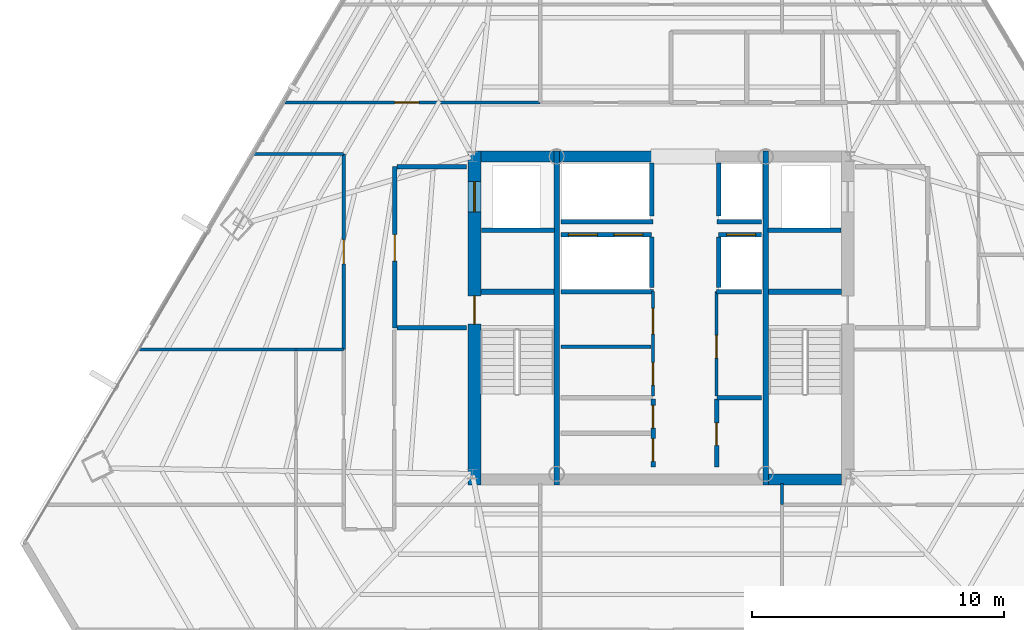
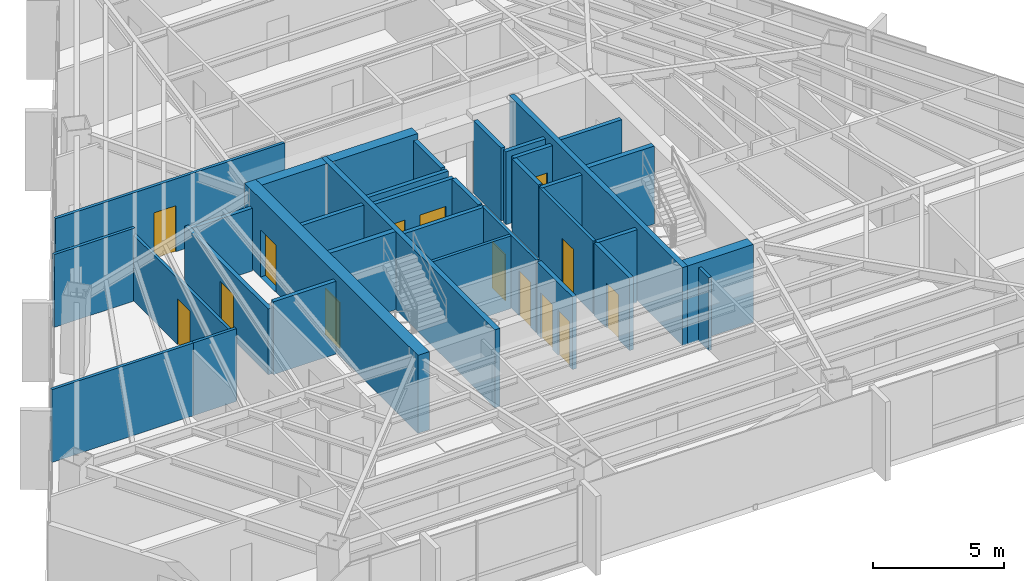
# One storey, part 35 of 40: 35 walls, 14 doors, 14 openings.
"""IFC4 building model written with IfcOpenShell, lengths in metres."""

from ifc_helpers import new_model, si_unit, direction, frame, frame_2d, origin, place, context, subcontext, project, spatial, rectangle, extrude, material, layer, layer_set, type_object, element, fill, save


model = new_model("IFC4")

# Units and contexts
model_context = context("Model", 3, precision=1e-05, world=origin(), true_north=direction((0.0, 1.0)))
body_context = subcontext(model_context, "Body", "Model", "MODEL_VIEW")
ifc_project = project(units=[si_unit("LENGTHUNIT", "METRE"), si_unit("AREAUNIT", "SQUARE_METRE"), si_unit("VOLUMEUNIT", "CUBIC_METRE"), si_unit("PLANEANGLEUNIT", "RADIAN"), si_unit("MASSUNIT", "GRAM", prefix="KILO")], contexts=[model_context])

# Site, building, storey
site_placement = place(None, origin())
site = spatial("IfcSite", under=ifc_project, at=site_placement, CompositionType="ELEMENT")
building_placement = place(site_placement, origin())
building = spatial("IfcBuilding", under=site, at=building_placement, Name="Caelisora Broadcast Tower", CompositionType="ELEMENT")
storey_placement = place(building_placement, frame((0.0, 0.0, 176.75)))
storey = spatial("IfcBuildingStorey", under=building, at=storey_placement, Name="L46", CompositionType="ELEMENT", Elevation=176.75)

# Wall, openings, doors
ifc_material_1 = material(Name="Concrete 50 MPa (AS 3600 S50)", Category="concrete")
ifc_layer_1 = layer(ifc_material_1, 0.5, Name="Concrete 50 MPa (AS 3600 S50)")
ifc_layer_set_1 = layer_set([ifc_layer_1], Name="Concrete 50 MPa (AS 3600 S50)")
wall_type_1 = type_object("IfcWallType", Name="CW2", PredefinedType="SHEAR", material=ifc_layer_set_1)
wall_1_placement = place(storey_placement, frame((30.590087890625, 16.949951171875, 0.0), z_axis=(0.0, 0.0, 1.0), x_axis=(0.0, 1.0, 0.0)))
wall_1 = element("IfcWall", 1, at=wall_1_placement, inside=storey, type_object=wall_type_1, Name="L46 core shear wall CW2", PredefinedType="SHEAR", context=body_context, shape_type="SweptSolid", body=[
    extrude(rectangle(XDim=13.275146484375, YDim=0.5, at=frame_2d((6.6376953125, 0.0))), origin(), (0.0, 0.0, 1.0), 3.64990234375),
])
opening_1_placement = place(wall_1_placement, frame((6.39990234375, 0.0, 0.0)))
opening_1 = element("IfcOpeningElement", 2, at=opening_1_placement, cuts=wall_1, Name="Opening FD04", PredefinedType="OPENING", context=body_context, shape_type="SweptSolid", body=[
    extrude(rectangle(XDim=1.1201171875, YDim=2.14990234375, at=frame_2d((0.56005859375, 1.074951171875))), frame((0.0, 0.261962890625, 0.0), z_axis=(0.0, -1.0, 0.0), x_axis=(1.0, 0.0, 0.0)), (0.0, 0.0, 1.0), 0.52392578125),
])
opening_2_placement = place(wall_1_placement, frame((10.85009765625, 0.0, 0.0)))
opening_2 = element("IfcOpeningElement", 3, at=opening_2_placement, cuts=wall_1, Name="Opening LD04", PredefinedType="OPENING", context=body_context, shape_type="SweptSolid", body=[
    extrude(rectangle(XDim=1.199951171875, YDim=2.199951171875, at=frame_2d((0.60009765625, 1.10009765625))), frame((0.0, 0.261962890625, 0.0), z_axis=(0.0, -1.0, 0.0), x_axis=(1.0, 0.0, 0.0)), (0.0, 0.0, 1.0), 0.52392578125),
])
ifc_material_2 = material(Name="Pressurised Fire-Isolated Stair Door", Category="steel")
door_type_1 = type_object("IfcDoorType", Name="FD04", OperationType="NOTDEFINED", PredefinedType="DOOR", material=ifc_material_2)
door_1_placement = place(opening_1_placement, origin())
door_1 = element("IfcDoor", 4, at=door_1_placement, inside=storey, type_object=door_type_1, Name="L46 door FD04 (L46-DR-ST1)", OperationType="SINGLE_SWING_LEFT", OverallHeight=2.14990234375, OverallWidth=1.1201171875, PredefinedType="DOOR", context=body_context, shape_type="SweptSolid", body=[
    extrude(rectangle(XDim=1.1201171875, YDim=2.14990234375, at=frame_2d((0.56005859375, 1.074951171875))), frame((0.0, 0.02490234375, 0.0), z_axis=(0.0, -1.0, 0.0), x_axis=(1.0, 0.0, 0.0)), (0.0, 0.0, 1.0), 0.050048828125),
])
fill(opening_1, door_1)
ifc_material_3 = material(Name="Emergency Firefighting Lift Sliding Landing Door", Category="steel")
door_type_2 = type_object("IfcDoorType", Name="LD04", OperationType="NOTDEFINED", PredefinedType="DOOR", material=ifc_material_3)
door_2_placement = place(opening_2_placement, origin())
door_2 = element("IfcDoor", 5, at=door_2_placement, inside=storey, type_object=door_type_2, Name="L46 door LD04 (L46-LD-FFL1)", OperationType="SLIDING_TO_LEFT", OverallHeight=2.199951171875, OverallWidth=1.199951171875, PredefinedType="DOOR", context=body_context, shape_type="SweptSolid", body=[
    extrude(rectangle(XDim=1.199951171875, YDim=2.199951171875, at=frame_2d((0.60009765625, 1.10009765625))), frame((0.0, 0.02490234375, 0.0), z_axis=(0.0, -1.0, 0.0), x_axis=(1.0, 0.0, 0.0)), (0.0, 0.0, 1.0), 0.050048828125),
])
fill(opening_2, door_2)

# Walls
ifc_layer_2 = layer(ifc_material_1, 0.449951171875, Name="Concrete 50 MPa (AS 3600 S50)")
ifc_layer_set_2 = layer_set([ifc_layer_2], Name="Concrete 50 MPa (AS 3600 S50)")
wall_type_2 = type_object("IfcWallType", Name="CW5", PredefinedType="SHEAR", material=ifc_layer_set_2)
for number, where, z_axis, x_axis, name in (
    (6, (42.260009765625, 17.175048828125, 0.0), (0.0, 0.0, 1.0), (1.0, 0.0, 0.0), "L46 core shear wall CW5"),
    (7, (30.840087890625, 30.0, 0.0), (0.0, 0.0, 1.0), (1.0, 0.0, 0.0), "L46 core shear wall CW5"),
):
    element("IfcWall", number, at=place(storey_placement, frame(where, z_axis=z_axis, x_axis=x_axis)), inside=storey, type_object=wall_type_2, Name=name, PredefinedType="SHEAR", context=body_context, shape_type="SweptSolid", body=[
        extrude(rectangle(XDim=2.89990234375, YDim=0.449951171875, at=frame_2d((1.449951171875, 0.0))), origin(), (0.0, 0.0, 1.0), 3.64990234375),
    ])
wall_2_placement = place(storey_placement, frame((33.9599609375, 30.0, 0.0), z_axis=(0.0, 0.0, 1.0), x_axis=(1.0, 0.0, 0.0)))
element("IfcWall", 8, at=wall_2_placement, inside=storey, type_object=wall_type_2, Name="L46 core shear wall CW5", PredefinedType="SHEAR", context=body_context, shape_type="SweptSolid", body=[
    extrude(rectangle(XDim=3.780029296875, YDim=0.449951171875, at=frame_2d((1.89013671875, 0.0))), origin(), (0.0, 0.0, 1.0), 3.64990234375),
])
ifc_layer_3 = layer(ifc_material_1, 0.219970703125, Name="Concrete 50 MPa (AS 3600 S50)")
ifc_layer_set_3 = layer_set([ifc_layer_3], Name="Concrete 50 MPa (AS 3600 S50)")
wall_type_3 = type_object("IfcWallType", Name="CW7", PredefinedType="SHEAR", material=ifc_layer_set_3)
for number, where, z_axis, x_axis, name in (
    (9, (33.85009765625, 16.949951171875, 0.0), (0.0, 0.0, 1.0), (0.0, 1.0, 0.0), "L46 core shear wall CW7"),
    (10, (42.14990234375, 16.949951171875, 0.0), (0.0, 0.0, 1.0), (0.0, 1.0, 0.0), "L46 core shear wall CW7"),
):
    element("IfcWall", number, at=place(storey_placement, frame(where, z_axis=z_axis, x_axis=x_axis)), inside=storey, type_object=wall_type_3, Name=name, PredefinedType="SHEAR", context=body_context, shape_type="SweptSolid", body=[
        extrude(rectangle(XDim=13.275146484375, YDim=0.219970703125, at=frame_2d((6.6376953125, 0.0))), origin(), (0.0, 0.0, 1.0), 3.64990234375),
    ])
for number, where, z_axis, x_axis, name in (
    (11, (30.840087890625, 24.639892578125, 0.0), (0.0, 0.0, 1.0), (1.0, 0.0, 0.0), "L46 core shear wall CW7"),
    (12, (42.260009765625, 24.639892578125, 0.0), (0.0, 0.0, 1.0), (1.0, 0.0, 0.0), "L46 core shear wall CW7"),
):
    element("IfcWall", number, at=place(storey_placement, frame(where, z_axis=z_axis, x_axis=x_axis)), inside=storey, type_object=wall_type_3, Name=name, PredefinedType="SHEAR", context=body_context, shape_type="SweptSolid", body=[
        extrude(rectangle(XDim=2.89990234375, YDim=0.219970703125, at=frame_2d((1.449951171875, 0.0))), origin(), (0.0, 0.0, 1.0), 3.64990234375),
    ])

# Wall, openings, doors
ifc_material_4 = material(Name="Fire-Rated Gypsum Shaft and Compartment Wall", Category="gypsum")
ifc_layer_4 = layer(ifc_material_4, 0.179931640625, Name="Fire-Rated Gypsum Shaft and Compartment Wall")
ifc_layer_set_4 = layer_set([ifc_layer_4], Name="Fire-Rated Gypsum Shaft and Compartment Wall")
wall_type_4 = type_object("IfcWallType", Name="PW2", PredefinedType="PARTITIONING", material=ifc_layer_set_4)
wall_3_placement = place(storey_placement, frame((34.02001953125, 26.89990234375, 0.0), z_axis=(0.0, 0.0, 1.0), x_axis=(1.0, 0.0, 0.0)))
wall_3 = element("IfcWall", 13, at=wall_3_placement, inside=storey, type_object=wall_type_4, Name="L46 fire compartment wall PW2", PredefinedType="PARTITIONING", context=body_context, shape_type="SweptSolid", body=[
    extrude(rectangle(XDim=3.60009765625, YDim=0.179931640625, at=frame_2d((1.800048828125, 0.0))), origin(), (0.0, 0.0, 1.0), 3.39990234375),
])
opening_3_placement = place(wall_3_placement, frame((0.300048828125, 0.0, 0.0)))
opening_3 = element("IfcOpeningElement", 14, at=opening_3_placement, cuts=wall_3, Name="Opening LD02", PredefinedType="OPENING", context=body_context, shape_type="SweptSolid", body=[
    extrude(rectangle(XDim=1.14990234375, YDim=2.199951171875, at=frame_2d((0.574951171875, 1.10009765625))), frame((0.0, 0.10205078125, 0.0), z_axis=(0.0, -1.0, 0.0), x_axis=(1.0, 0.0, 0.0)), (0.0, 0.0, 1.0), 0.203857421875),
])
opening_4_placement = place(wall_3_placement, frame((2.10009765625, 0.0, 0.0)))
opening_4 = element("IfcOpeningElement", 15, at=opening_4_placement, cuts=wall_3, Name="Opening LD02", PredefinedType="OPENING", context=body_context, shape_type="SweptSolid", body=[
    extrude(rectangle(XDim=1.14990234375, YDim=2.199951171875, at=frame_2d((0.574951171875, 1.10009765625))), frame((0.0, 0.10205078125, 0.0), z_axis=(0.0, -1.0, 0.0), x_axis=(1.0, 0.0, 0.0)), (0.0, 0.0, 1.0), 0.203857421875),
])
ifc_material_5 = material(Name="High-Speed Express Lift Sliding Landing Door", Category="steel")
door_type_3 = type_object("IfcDoorType", Name="LD02", OperationType="NOTDEFINED", PredefinedType="DOOR", material=ifc_material_5)
door_3_placement = place(opening_3_placement, origin())
door_3 = element("IfcDoor", 16, at=door_3_placement, inside=storey, type_object=door_type_3, Name="L46 door LD02 (L46-LD-PLM1)", OperationType="SLIDING_TO_LEFT", OverallHeight=2.199951171875, OverallWidth=1.14990234375, PredefinedType="DOOR", context=body_context, shape_type="SweptSolid", body=[
    extrude(rectangle(XDim=1.14990234375, YDim=2.199951171875, at=frame_2d((0.574951171875, 1.10009765625))), frame((0.0, 0.02490234375, 0.0), z_axis=(0.0, -1.0, 0.0), x_axis=(1.0, 0.0, 0.0)), (0.0, 0.0, 1.0), 0.050048828125),
])
fill(opening_3, door_3)
door_4_placement = place(opening_4_placement, origin())
door_4 = element("IfcDoor", 17, at=door_4_placement, inside=storey, type_object=door_type_3, Name="L46 door LD02 (L46-LD-PLM2)", OperationType="SLIDING_TO_RIGHT", OverallHeight=2.199951171875, OverallWidth=1.14990234375, PredefinedType="DOOR", context=body_context, shape_type="SweptSolid", body=[
    extrude(rectangle(XDim=1.14990234375, YDim=2.199951171875, at=frame_2d((0.574951171875, 1.10009765625))), frame((0.0, 0.02490234375, 0.0), z_axis=(0.0, -1.0, 0.0), x_axis=(1.0, 0.0, 0.0)), (0.0, 0.0, 1.0), 0.050048828125),
])
fill(opening_4, door_4)

# Wall, opening, door
wall_4_placement = place(storey_placement, frame((40.280029296875, 26.89990234375, 0.0), z_axis=(0.0, 0.0, 1.0), x_axis=(1.0, 0.0, 0.0)))
wall_4 = element("IfcWall", 18, at=wall_4_placement, inside=storey, type_object=wall_type_4, Name="L46 fire compartment wall PW2", PredefinedType="PARTITIONING", context=body_context, shape_type="SweptSolid", body=[
    extrude(rectangle(XDim=1.699951171875, YDim=0.179931640625, at=frame_2d((0.85009765625, 0.0))), origin(), (0.0, 0.0, 1.0), 3.39990234375),
])
opening_5_placement = place(wall_4_placement, frame((0.320068359375, 0.0, 0.0)))
opening_5 = element("IfcOpeningElement", 19, at=opening_5_placement, cuts=wall_4, Name="Opening LD02", PredefinedType="OPENING", context=body_context, shape_type="SweptSolid", body=[
    extrude(rectangle(XDim=1.14990234375, YDim=2.199951171875, at=frame_2d((0.574951171875, 1.10009765625))), frame((0.0, 0.10205078125, 0.0), z_axis=(0.0, -1.0, 0.0), x_axis=(1.0, 0.0, 0.0)), (0.0, 0.0, 1.0), 0.203857421875),
])
door_5_placement = place(opening_5_placement, origin())
door_5 = element("IfcDoor", 20, at=door_5_placement, inside=storey, type_object=door_type_3, Name="L46 door LD02 (L46-LD-PLM3)", OperationType="SLIDING_TO_LEFT", OverallHeight=2.199951171875, OverallWidth=1.14990234375, PredefinedType="DOOR", context=body_context, shape_type="SweptSolid", body=[
    extrude(rectangle(XDim=1.14990234375, YDim=2.199951171875, at=frame_2d((0.574951171875, 1.10009765625))), frame((0.0, 0.02490234375, 0.0), z_axis=(0.0, -1.0, 0.0), x_axis=(1.0, 0.0, 0.0)), (0.0, 0.0, 1.0), 0.050048828125),
])
fill(opening_5, door_5)

# Walls
for number, where, z_axis, x_axis, name in (
    (21, (37.6201171875, 24.800048828125, 0.0), (0.0, 0.0, 1.0), (0.0, 1.0, 0.0), "L46 fire compartment wall PW2"),
    (22, (40.280029296875, 24.800048828125, 0.0), (0.0, 0.0, 1.0), (0.0, 1.0, 0.0), "L46 fire compartment wall PW2"),
):
    element("IfcWall", number, at=place(storey_placement, frame(where, z_axis=z_axis, x_axis=x_axis)), inside=storey, type_object=wall_type_4, Name=name, PredefinedType="PARTITIONING", context=body_context, shape_type="SweptSolid", body=[
        extrude(rectangle(XDim=2.0, YDim=0.179931640625, at=frame_2d((1.0, 0.0))), origin(), (0.0, 0.0, 1.0), 3.39990234375),
    ])
wall_5_placement = place(storey_placement, frame((34.02001953125, 24.639892578125, 0.0), z_axis=(0.0, 0.0, 1.0), x_axis=(1.0, 0.0, 0.0)))
element("IfcWall", 23, at=wall_5_placement, inside=storey, type_object=wall_type_4, Name="L46 fire compartment wall PW2", PredefinedType="PARTITIONING", context=body_context, shape_type="SweptSolid", body=[
    extrude(rectangle(XDim=3.679931640625, YDim=0.179931640625, at=frame_2d((1.83984375, 0.0))), origin(), (0.0, 0.0, 1.0), 3.39990234375),
])
wall_6_placement = place(storey_placement, frame((40.199951171875, 24.639892578125, 0.0), z_axis=(0.0, 0.0, 1.0), x_axis=(1.0, 0.0, 0.0)))
element("IfcWall", 24, at=wall_6_placement, inside=storey, type_object=wall_type_4, Name="L46 fire compartment wall PW2", PredefinedType="PARTITIONING", context=body_context, shape_type="SweptSolid", body=[
    extrude(rectangle(XDim=1.780029296875, YDim=0.179931640625, at=frame_2d((0.89013671875, 0.0))), origin(), (0.0, 0.0, 1.0), 3.39990234375),
])
wall_7_placement = place(storey_placement, frame((34.02001953125, 27.419921875, 0.0), z_axis=(0.0, 0.0, 1.0), x_axis=(1.0, 0.0, 0.0)))
element("IfcWall", 25, at=wall_7_placement, inside=storey, type_object=wall_type_4, Name="L46 fire compartment wall PW2", PredefinedType="PARTITIONING", context=body_context, shape_type="SweptSolid", body=[
    extrude(rectangle(XDim=3.659912109375, YDim=0.179931640625, at=frame_2d((1.830078125, 0.0))), origin(), (0.0, 0.0, 1.0), 3.39990234375),
])
wall_8_placement = place(storey_placement, frame((40.219970703125, 27.419921875, 0.0), z_axis=(0.0, 0.0, 1.0), x_axis=(1.0, 0.0, 0.0)))
element("IfcWall", 26, at=wall_8_placement, inside=storey, type_object=wall_type_4, Name="L46 fire compartment wall PW2", PredefinedType="PARTITIONING", context=body_context, shape_type="SweptSolid", body=[
    extrude(rectangle(XDim=1.760009765625, YDim=0.179931640625, at=frame_2d((0.8798828125, 0.0))), origin(), (0.0, 0.0, 1.0), 3.39990234375),
])
for number, where, z_axis, x_axis, name in (
    (27, (37.6201171875, 27.639892578125, 0.0), (0.0, 0.0, 1.0), (0.0, 1.0, 0.0), "L46 fire compartment wall PW2"),
    (28, (40.280029296875, 27.639892578125, 0.0), (0.0, 0.0, 1.0), (0.0, 1.0, 0.0), "L46 fire compartment wall PW2"),
):
    element("IfcWall", number, at=place(storey_placement, frame(where, z_axis=z_axis, x_axis=x_axis)), inside=storey, type_object=wall_type_4, Name=name, PredefinedType="PARTITIONING", context=body_context, shape_type="SweptSolid", body=[
        extrude(rectangle(XDim=2.110107421875, YDim=0.179931640625, at=frame_2d((1.05517578125, 0.0))), origin(), (0.0, 0.0, 1.0), 3.39990234375),
    ])

# Wall, opening, door
wall_9_placement = place(storey_placement, frame((27.419921875, 23.199951171875, 0.0), z_axis=(0.0, 0.0, 1.0), x_axis=(0.0, 1.0, 0.0)))
wall_9 = element("IfcWall", 29, at=wall_9_placement, inside=storey, type_object=wall_type_4, Name="L46 fire compartment wall PW2", PredefinedType="PARTITIONING", context=body_context, shape_type="SweptSolid", body=[
    extrude(rectangle(XDim=6.400146484375, YDim=0.179931640625, at=frame_2d((3.2001953125, 0.0))), origin(), (0.0, 0.0, 1.0), 3.077880859375),
])
opening_6_placement = place(wall_9_placement, frame((2.64990234375, 0.0, 0.0)))
opening_6 = element("IfcOpeningElement", 30, at=opening_6_placement, cuts=wall_9, Name="Opening FD02", PredefinedType="OPENING", context=body_context, shape_type="SweptSolid", body=[
    extrude(rectangle(XDim=1.050048828125, YDim=2.14990234375, at=frame_2d((0.52490234375, 1.074951171875))), frame((0.0, 0.10205078125, 0.0), z_axis=(0.0, -1.0, 0.0), x_axis=(1.0, 0.0, 0.0)), (0.0, 0.0, 1.0), 0.203857421875),
])
ifc_material_6 = material(Name="Single-Leaf Steel Fire Lobby Door", Category="steel")
door_type_4 = type_object("IfcDoorType", Name="FD02", OperationType="NOTDEFINED", PredefinedType="DOOR", material=ifc_material_6)
door_6_placement = place(opening_6_placement, origin())
door_6 = element("IfcDoor", 31, at=door_6_placement, inside=storey, type_object=door_type_4, Name="L46 door FD02 (L46-DR-P01D1)", OperationType="SINGLE_SWING_RIGHT", OverallHeight=2.14990234375, OverallWidth=1.050048828125, PredefinedType="DOOR", context=body_context, shape_type="SweptSolid", body=[
    extrude(rectangle(XDim=1.050048828125, YDim=2.14990234375, at=frame_2d((0.52490234375, 1.074951171875))), frame((0.0, 0.02490234375, 0.0), z_axis=(0.0, -1.0, 0.0), x_axis=(1.0, 0.0, 0.0)), (0.0, 0.0, 1.0), 0.050048828125),
])
fill(opening_6, door_6)

# Walls
wall_10_placement = place(storey_placement, frame((27.52001953125, 23.199951171875, 0.0), z_axis=(0.0, 0.0, 1.0), x_axis=(1.0, 0.0, 0.0)))
element("IfcWall", 32, at=wall_10_placement, inside=storey, type_object=wall_type_4, Name="L46 fire compartment wall PW2", PredefinedType="PARTITIONING", context=body_context, shape_type="SweptSolid", body=[
    extrude(rectangle(XDim=2.760009765625, YDim=0.179931640625, at=frame_2d((1.3798828125, 0.0))), origin(), (0.0, 0.0, 1.0), 3.39990234375),
])
wall_11_placement = place(storey_placement, frame((27.52001953125, 29.60009765625, 0.0), z_axis=(0.0, 0.0, 1.0), x_axis=(1.0, 0.0, 0.0)))
element("IfcWall", 33, at=wall_11_placement, inside=storey, type_object=wall_type_4, Name="L46 fire compartment wall PW2", PredefinedType="PARTITIONING", context=body_context, shape_type="SweptSolid", body=[
    extrude(rectangle(XDim=2.760009765625, YDim=0.179931640625, at=frame_2d((1.3798828125, 0.0))), origin(), (0.0, 0.0, 1.0), 2.924560546875),
])
for number, where, z_axis, x_axis, name in (
    (34, (30.860107421875, 27.070068359375, 0.0), (0.0, 0.0, 1.0), (1.0, 0.0, 0.0), "L46 fire compartment wall PW2"),
    (35, (42.239990234375, 27.070068359375, 0.0), (0.0, 0.0, 1.0), (1.0, 0.0, 0.0), "L46 fire compartment wall PW2"),
):
    element("IfcWall", number, at=place(storey_placement, frame(where, z_axis=z_axis, x_axis=x_axis)), inside=storey, type_object=wall_type_4, Name=name, PredefinedType="PARTITIONING", context=body_context, shape_type="SweptSolid", body=[
        extrude(rectangle(XDim=2.89990234375, YDim=0.179931640625, at=frame_2d((1.449951171875, 0.0))), origin(), (0.0, 0.0, 1.0), 3.39990234375),
    ])
wall_12_placement = place(storey_placement, frame((40.219970703125, 20.419921875, 0.0), z_axis=(0.0, 0.0, 1.0), x_axis=(1.0, 0.0, 0.0)))
element("IfcWall", 36, at=wall_12_placement, inside=storey, type_object=wall_type_4, Name="L46 fire compartment wall PW2", PredefinedType="PARTITIONING", context=body_context, shape_type="SweptSolid", body=[
    extrude(rectangle(XDim=1.760009765625, YDim=0.179931640625, at=frame_2d((0.8798828125, 0.0))), origin(), (0.0, 0.0, 1.0), 3.39990234375),
])

# Wall, openings, doors
wall_13_placement = place(storey_placement, frame((37.679931640625, 17.679931640625, 0.0), z_axis=(0.0, 0.0, 1.0), x_axis=(0.0, 1.0, 0.0)))
wall_13 = element("IfcWall", 37, at=wall_13_placement, inside=storey, type_object=wall_type_4, Name="L46 fire compartment wall PW2", PredefinedType="PARTITIONING", context=body_context, shape_type="SweptSolid", body=[
    extrude(rectangle(XDim=2.699951171875, YDim=0.179931640625, at=frame_2d((1.35009765625, 0.0))), origin(), (0.0, 0.0, 1.0), 3.39990234375),
])
opening_7_placement = place(wall_13_placement, frame((0.219970703125, 0.0, 0.0)))
opening_7 = element("IfcOpeningElement", 38, at=opening_7_placement, cuts=wall_13, Name="Opening FD03", PredefinedType="OPENING", context=body_context, shape_type="SweptSolid", body=[
    extrude(rectangle(XDim=0.89990234375, YDim=2.10009765625, at=frame_2d((0.449951171875, 1.050048828125))), frame((0.0, 0.10205078125, 0.0), z_axis=(0.0, -1.0, 0.0), x_axis=(1.0, 0.0, 0.0)), (0.0, 0.0, 1.0), 0.203857421875),
])
opening_8_placement = place(wall_13_placement, frame((1.5400390625, 0.0, 0.0)))
opening_8 = element("IfcOpeningElement", 39, at=opening_8_placement, cuts=wall_13, Name="Opening FD03", PredefinedType="OPENING", context=body_context, shape_type="SweptSolid", body=[
    extrude(rectangle(XDim=0.89990234375, YDim=2.10009765625, at=frame_2d((0.449951171875, 1.050048828125))), frame((0.0, 0.10205078125, 0.0), z_axis=(0.0, -1.0, 0.0), x_axis=(1.0, 0.0, 0.0)), (0.0, 0.0, 1.0), 0.203857421875),
])
ifc_material_7 = material(Name="Single-Leaf Steel Riser Fire Access Door", Category="steel")
door_type_5 = type_object("IfcDoorType", Name="FD03", OperationType="NOTDEFINED", PredefinedType="DOOR", material=ifc_material_7)
door_7_placement = place(opening_7_placement, origin())
door_7 = element("IfcDoor", 40, at=door_7_placement, inside=storey, type_object=door_type_5, Name="L46 door FD03 (L46-DR-P15D1)", OperationType="SINGLE_SWING_LEFT", OverallHeight=2.10009765625, OverallWidth=0.89990234375, PredefinedType="DOOR", context=body_context, shape_type="SweptSolid", body=[
    extrude(rectangle(XDim=0.89990234375, YDim=2.10009765625, at=frame_2d((0.449951171875, 1.050048828125))), frame((0.0, 0.02490234375, 0.0), z_axis=(0.0, -1.0, 0.0), x_axis=(1.0, 0.0, 0.0)), (0.0, 0.0, 1.0), 0.050048828125),
])
fill(opening_7, door_7)
door_8_placement = place(opening_8_placement, origin())
door_8 = element("IfcDoor", 41, at=door_8_placement, inside=storey, type_object=door_type_5, Name="L46 door FD03 (L46-DR-P15D2)", OperationType="SINGLE_SWING_RIGHT", OverallHeight=2.10009765625, OverallWidth=0.89990234375, PredefinedType="DOOR", context=body_context, shape_type="SweptSolid", body=[
    extrude(rectangle(XDim=0.89990234375, YDim=2.10009765625, at=frame_2d((0.449951171875, 1.050048828125))), frame((0.0, 0.02490234375, 0.0), z_axis=(0.0, -1.0, 0.0), x_axis=(1.0, 0.0, 0.0)), (0.0, 0.0, 1.0), 0.050048828125),
])
fill(opening_8, door_8)

# Wall, opening, door
wall_14_placement = place(storey_placement, frame((40.199951171875, 17.679931640625, 0.0), z_axis=(0.0, 0.0, 1.0), x_axis=(0.0, 1.0, 0.0)))
wall_14 = element("IfcWall", 42, at=wall_14_placement, inside=storey, type_object=wall_type_4, Name="L46 fire compartment wall PW2", PredefinedType="PARTITIONING", context=body_context, shape_type="SweptSolid", body=[
    extrude(rectangle(XDim=2.699951171875, YDim=0.179931640625, at=frame_2d((1.35009765625, 0.0))), origin(), (0.0, 0.0, 1.0), 3.39990234375),
])
opening_9_placement = place(wall_14_placement, frame((0.85009765625, 0.0, 0.0)))
opening_9 = element("IfcOpeningElement", 43, at=opening_9_placement, cuts=wall_14, Name="Opening FD03", PredefinedType="OPENING", context=body_context, shape_type="SweptSolid", body=[
    extrude(rectangle(XDim=0.89990234375, YDim=2.10009765625, at=frame_2d((0.449951171875, 1.050048828125))), frame((0.0, 0.10205078125, 0.0), z_axis=(0.0, -1.0, 0.0), x_axis=(1.0, 0.0, 0.0)), (0.0, 0.0, 1.0), 0.203857421875),
])
door_9_placement = place(opening_9_placement, origin())
door_9 = element("IfcDoor", 44, at=door_9_placement, inside=storey, type_object=door_type_5, Name="L46 door FD03 (L46-DR-P16D1)", OperationType="SINGLE_SWING_LEFT", OverallHeight=2.10009765625, OverallWidth=0.89990234375, PredefinedType="DOOR", context=body_context, shape_type="SweptSolid", body=[
    extrude(rectangle(XDim=0.89990234375, YDim=2.10009765625, at=frame_2d((0.449951171875, 1.050048828125))), frame((0.0, 0.02490234375, 0.0), z_axis=(0.0, -1.0, 0.0), x_axis=(1.0, 0.0, 0.0)), (0.0, 0.0, 1.0), 0.050048828125),
])
fill(opening_9, door_9)

# Wall
ifc_material_8 = material(Name="Acoustic Steel-Stud Plasterboard Partition", Category="gypsum")
ifc_layer_5 = layer(ifc_material_8, 0.1298828125, Name="Acoustic Steel-Stud Plasterboard Partition")
ifc_layer_set_5 = layer_set([ifc_layer_5], Name="Acoustic Steel-Stud Plasterboard Partition")
wall_type_5 = type_object("IfcWallType", Name="PW3", PredefinedType="PARTITIONING", material=ifc_layer_set_5)
wall_15_placement = place(storey_placement, frame((34.02001953125, 22.449951171875, 0.0), z_axis=(0.0, 0.0, 1.0), x_axis=(1.0, 0.0, 0.0)))
element("IfcWall", 45, at=wall_15_placement, inside=storey, type_object=wall_type_5, Name="L46 internal partition PW3", PredefinedType="PARTITIONING", context=body_context, shape_type="SweptSolid", body=[
    extrude(rectangle(XDim=3.580078125, YDim=0.1298828125, at=frame_2d((1.7900390625, 0.0))), origin(), (0.0, 0.0, 1.0), 3.39990234375),
])

# Wall, openings, doors
wall_16_placement = place(storey_placement, frame((37.679931640625, 20.5, 0.0), z_axis=(0.0, 0.0, 1.0), x_axis=(0.0, 1.0, 0.0)))
wall_16 = element("IfcWall", 46, at=wall_16_placement, inside=storey, type_object=wall_type_5, Name="L46 internal partition PW3", PredefinedType="PARTITIONING", context=body_context, shape_type="SweptSolid", body=[
    extrude(rectangle(XDim=4.139892578125, YDim=0.1298828125, at=frame_2d((2.06982421875, 0.0))), origin(), (0.0, 0.0, 1.0), 3.39990234375),
])
opening_10_placement = place(wall_16_placement, frame((0.419921875, 0.0, 0.0)))
opening_10 = element("IfcOpeningElement", 47, at=opening_10_placement, cuts=wall_16, Name="Opening FD03", PredefinedType="OPENING", context=body_context, shape_type="SweptSolid", body=[
    extrude(rectangle(XDim=0.89990234375, YDim=2.10009765625, at=frame_2d((0.449951171875, 1.050048828125))), frame((0.0, 0.076904296875, 0.0), z_axis=(0.0, -1.0, 0.0), x_axis=(1.0, 0.0, 0.0)), (0.0, 0.0, 1.0), 0.15380859375),
])
opening_11_placement = place(wall_16_placement, frame((2.449951171875, 0.0, 0.0)))
opening_11 = element("IfcOpeningElement", 48, at=opening_11_placement, cuts=wall_16, Name="Opening D02", PredefinedType="OPENING", context=body_context, shape_type="SweptSolid", body=[
    extrude(rectangle(XDim=1.02001953125, YDim=2.14990234375, at=frame_2d((0.510009765625, 1.074951171875))), frame((0.0, 0.076904296875, 0.0), z_axis=(0.0, -1.0, 0.0), x_axis=(1.0, 0.0, 0.0)), (0.0, 0.0, 1.0), 0.15380859375),
])
ifc_material_9 = material(Name="Solid-Core Timber Archive Suite Door", Category="wood")
door_type_6 = type_object("IfcDoorType", Name="D02", OperationType="NOTDEFINED", PredefinedType="DOOR", material=ifc_material_9)
door_10_placement = place(opening_11_placement, origin())
door_10 = element("IfcDoor", 49, at=door_10_placement, inside=storey, type_object=door_type_6, Name="L46 door D02 (L46-DR-P12D2)", OperationType="SINGLE_SWING_LEFT", OverallHeight=2.14990234375, OverallWidth=1.02001953125, PredefinedType="DOOR", context=body_context, shape_type="SweptSolid", body=[
    extrude(rectangle(XDim=1.02001953125, YDim=2.14990234375, at=frame_2d((0.510009765625, 1.074951171875))), frame((0.0, 0.02490234375, 0.0), z_axis=(0.0, -1.0, 0.0), x_axis=(1.0, 0.0, 0.0)), (0.0, 0.0, 1.0), 0.050048828125),
])
fill(opening_11, door_10)
door_11_placement = place(opening_10_placement, origin())
door_11 = element("IfcDoor", 50, at=door_11_placement, inside=storey, type_object=door_type_5, Name="L46 door FD03 (L46-DR-P12D1)", OperationType="SINGLE_SWING_RIGHT", OverallHeight=2.10009765625, OverallWidth=0.89990234375, PredefinedType="DOOR", context=body_context, shape_type="SweptSolid", body=[
    extrude(rectangle(XDim=0.89990234375, YDim=2.10009765625, at=frame_2d((0.449951171875, 1.050048828125))), frame((0.0, 0.02490234375, 0.0), z_axis=(0.0, -1.0, 0.0), x_axis=(1.0, 0.0, 0.0)), (0.0, 0.0, 1.0), 0.050048828125),
])
fill(opening_10, door_11)

# Wall, opening, door
wall_17_placement = place(storey_placement, frame((40.199951171875, 20.5, 0.0), z_axis=(0.0, 0.0, 1.0), x_axis=(0.0, 1.0, 0.0)))
wall_17 = element("IfcWall", 51, at=wall_17_placement, inside=storey, type_object=wall_type_5, Name="L46 internal partition PW3", PredefinedType="PARTITIONING", context=body_context, shape_type="SweptSolid", body=[
    extrude(rectangle(XDim=4.139892578125, YDim=0.1298828125, at=frame_2d((2.06982421875, 0.0))), origin(), (0.0, 0.0, 1.0), 3.39990234375),
])
opening_12_placement = place(wall_17_placement, frame((1.5, 0.0, 0.0)))
opening_12 = element("IfcOpeningElement", 52, at=opening_12_placement, cuts=wall_17, Name="Opening FD03", PredefinedType="OPENING", context=body_context, shape_type="SweptSolid", body=[
    extrude(rectangle(XDim=0.89990234375, YDim=2.10009765625, at=frame_2d((0.449951171875, 1.050048828125))), frame((0.0, 0.076904296875, 0.0), z_axis=(0.0, -1.0, 0.0), x_axis=(1.0, 0.0, 0.0)), (0.0, 0.0, 1.0), 0.15380859375),
])
door_12_placement = place(opening_12_placement, origin())
door_12 = element("IfcDoor", 53, at=door_12_placement, inside=storey, type_object=door_type_5, Name="L46 door FD03 (L46-DR-P13D1)", OperationType="SINGLE_SWING_RIGHT", OverallHeight=2.10009765625, OverallWidth=0.89990234375, PredefinedType="DOOR", context=body_context, shape_type="SweptSolid", body=[
    extrude(rectangle(XDim=0.89990234375, YDim=2.10009765625, at=frame_2d((0.449951171875, 1.050048828125))), frame((0.0, 0.02490234375, 0.0), z_axis=(0.0, -1.0, 0.0), x_axis=(1.0, 0.0, 0.0)), (0.0, 0.0, 1.0), 0.050048828125),
])
fill(opening_12, door_12)

wall_18_placement = place(storey_placement, frame((23.0625, 32.14990234375, 0.0), z_axis=(0.0, 0.0, 1.0), x_axis=(1.0, 0.0, 0.0)))
wall_18 = element("IfcWall", 54, at=wall_18_placement, inside=storey, type_object=wall_type_5, Name="L46 internal partition PW3", PredefinedType="PARTITIONING", context=body_context, shape_type="SweptSolid", body=[
    extrude(rectangle(XDim=10.132568359375, YDim=0.1298828125, at=frame_2d((5.06640625, 0.0))), origin(), (0.0, 0.0, 1.0), 3.39990234375),
])
opening_13_placement = place(wall_18_placement, frame((4.35693359375, 0.0, 0.0)))
opening_13 = element("IfcOpeningElement", 55, at=opening_13_placement, cuts=wall_18, Name="Opening D01", PredefinedType="OPENING", context=body_context, shape_type="SweptSolid", body=[
    extrude(rectangle(XDim=0.9599609375, YDim=2.14990234375, at=frame_2d((0.47998046875, 1.074951171875))), frame((0.0, 0.076904296875, 0.0), z_axis=(0.0, -1.0, 0.0), x_axis=(1.0, 0.0, 0.0)), (0.0, 0.0, 1.0), 0.15380859375),
])
ifc_material_10 = material(Name="Solid-Core Timber Acoustic Office Door", Category="wood")
door_type_7 = type_object("IfcDoorType", Name="D01", OperationType="NOTDEFINED", PredefinedType="DOOR", material=ifc_material_10)
door_13_placement = place(opening_13_placement, origin())
door_13 = element("IfcDoor", 56, at=door_13_placement, inside=storey, type_object=door_type_7, Name="L46 door D01 (L46-DR-P32D1)", OperationType="SINGLE_SWING_LEFT", OverallHeight=2.14990234375, OverallWidth=0.9599609375, PredefinedType="DOOR", context=body_context, shape_type="SweptSolid", body=[
    extrude(rectangle(XDim=0.9599609375, YDim=2.14990234375, at=frame_2d((0.47998046875, 1.074951171875))), frame((0.0, 0.02490234375, 0.0), z_axis=(0.0, -1.0, 0.0), x_axis=(1.0, 0.0, 0.0)), (0.0, 0.0, 1.0), 0.050048828125),
])
fill(opening_13, door_13)

wall_19_placement = place(storey_placement, frame((25.39990234375, 30.094970703125, 0.0), z_axis=(0.0, 0.0, 1.0), x_axis=(0.0, -1.0, 0.0)))
wall_19 = element("IfcWall", 57, at=wall_19_placement, inside=storey, type_object=wall_type_5, Name="L46 internal partition PW3", PredefinedType="PARTITIONING", context=body_context, shape_type="SweptSolid", body=[
    extrude(rectangle(XDim=7.75, YDim=0.1298828125, at=frame_2d((3.875, 0.0))), origin(), (0.0, 0.0, 1.0), 3.077880859375),
])
opening_14_placement = place(wall_19_placement, frame((3.39501953125, 0.0, 0.0)))
opening_14 = element("IfcOpeningElement", 58, at=opening_14_placement, cuts=wall_19, Name="Opening D01", PredefinedType="OPENING", context=body_context, shape_type="SweptSolid", body=[
    extrude(rectangle(XDim=0.9599609375, YDim=2.14990234375, at=frame_2d((0.47998046875, 1.074951171875))), frame((0.0, 0.076904296875, 0.0), z_axis=(0.0, -1.0, 0.0), x_axis=(1.0, 0.0, 0.0)), (0.0, 0.0, 1.0), 0.15380859375),
])
door_14_placement = place(opening_14_placement, origin())
door_14 = element("IfcDoor", 59, at=door_14_placement, inside=storey, type_object=door_type_7, Name="L46 door D01 (L46-DR-P44D1)", OperationType="SINGLE_SWING_LEFT", OverallHeight=2.14990234375, OverallWidth=0.9599609375, PredefinedType="DOOR", context=body_context, shape_type="SweptSolid", body=[
    extrude(rectangle(XDim=0.9599609375, YDim=2.14990234375, at=frame_2d((0.47998046875, 1.074951171875))), frame((0.0, 0.02490234375, 0.0), z_axis=(0.0, -1.0, 0.0), x_axis=(1.0, 0.0, 0.0)), (0.0, 0.0, 1.0), 0.050048828125),
])
fill(opening_14, door_14)

# Walls
wall_20_placement = place(storey_placement, frame((17.25, 22.340087890625, 0.0), z_axis=(0.0, 0.0, 1.0), x_axis=(1.0, 0.0, 0.0)))
element("IfcWall", 60, at=wall_20_placement, inside=storey, type_object=wall_type_5, Name="L46 internal partition PW3", PredefinedType="PARTITIONING", context=body_context, shape_type="SweptSolid", body=[
    extrude(rectangle(XDim=6.2451171875, YDim=0.1298828125, at=frame_2d((3.12255859375, 0.0))), origin(), (0.0, 0.0, 1.0), 3.39990234375),
])
wall_21_placement = place(storey_placement, frame((21.827392578125, 30.10009765625, 0.0), z_axis=(0.0, 0.0, 1.0), x_axis=(1.0, 0.0, 0.0)))
element("IfcWall", 61, at=wall_21_placement, inside=storey, type_object=wall_type_5, Name="L46 internal partition PW3", PredefinedType="PARTITIONING", context=body_context, shape_type="SweptSolid", body=[
    extrude(rectangle(XDim=3.567626953125, YDim=0.1298828125, at=frame_2d((1.78369140625, 0.0))), origin(), (0.0, 0.0, 1.0), 3.39990234375),
])
wall_22_placement = place(storey_placement, frame((23.5048828125, 22.340087890625, 0.0), z_axis=(0.0, 0.0, 1.0), x_axis=(1.0, 0.0, 0.0)))
element("IfcWall", 62, at=wall_22_placement, inside=storey, type_object=wall_type_5, Name="L46 internal partition PW3", PredefinedType="PARTITIONING", context=body_context, shape_type="SweptSolid", body=[
    extrude(rectangle(XDim=1.89013671875, YDim=0.1298828125, at=frame_2d((0.945068359375, 0.0))), origin(), (0.0, 0.0, 1.0), 3.39990234375),
])
wall_23_placement = place(storey_placement, frame((42.800048828125, 16.175048828125, 0.0), z_axis=(0.0, 0.0, 1.0), x_axis=(0.0, 1.0, 0.0)))
element("IfcWall", 63, at=wall_23_placement, inside=storey, type_object=wall_type_5, Name="L46 internal partition PW3", PredefinedType="PARTITIONING", context=body_context, shape_type="SweptSolid", body=[
    extrude(rectangle(XDim=0.849853515625, YDim=0.1298828125, at=frame_2d((0.4248046875, 0.0))), origin(), (0.0, 0.0, 1.0), 3.39990234375),
])

save(model, "model.ifc")
